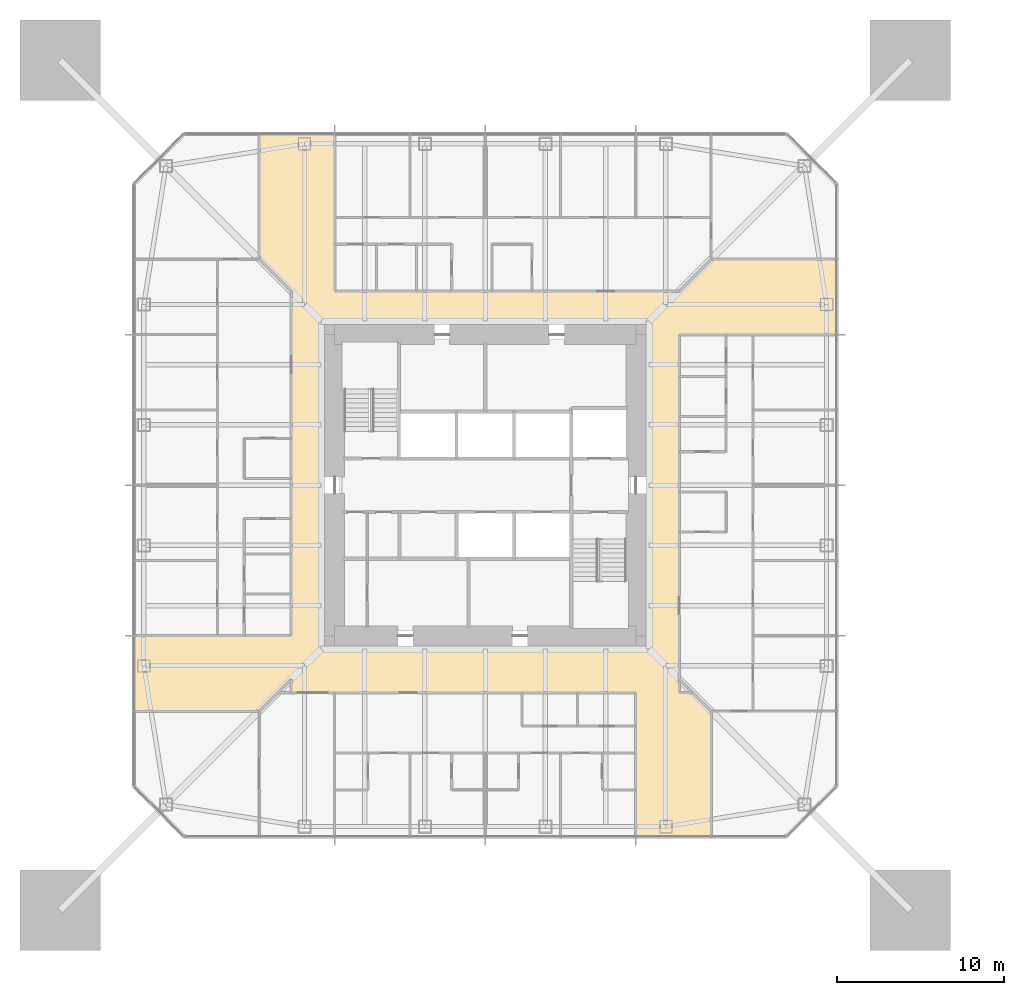
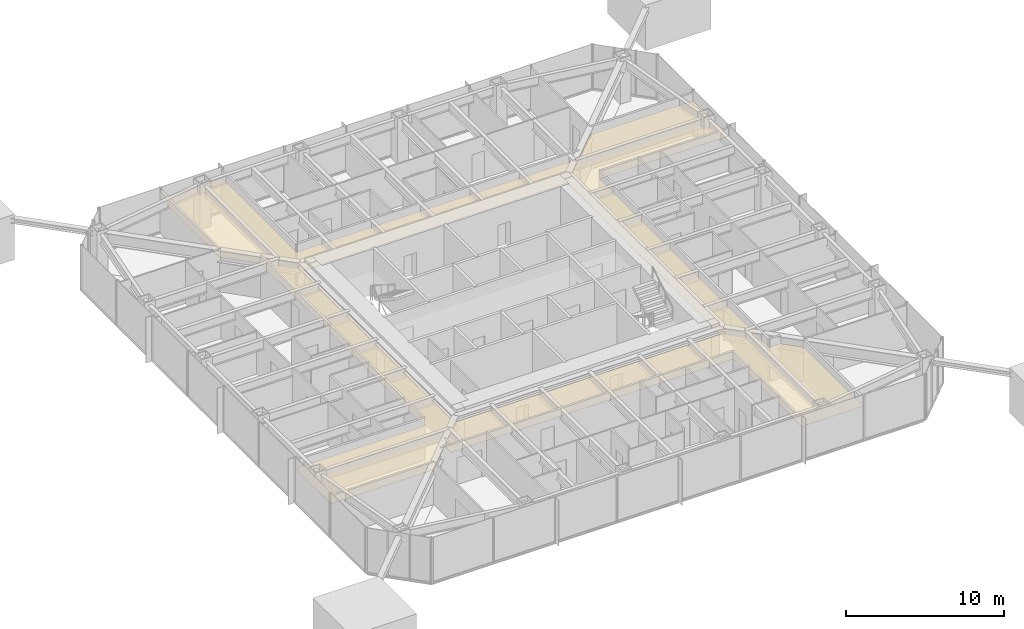
# One storey, part 22 of 25: 1 covering.
"""IFC4 building model written with IfcOpenShell, lengths in metres."""

from ifc_helpers import new_model, si_unit, direction, frame, origin, place, context, subcontext, project, spatial, polyline, outline, extrude, material, layer, layer_set, type_object, element, save


model = new_model("IFC4")

# Units and contexts
model_context = context("Model", 3, precision=1e-05, world=origin(), true_north=direction((0.0, 1.0)))
body_context = subcontext(model_context, "Body", "Model", "MODEL_VIEW")
ifc_project = project(units=[si_unit("LENGTHUNIT", "METRE"), si_unit("AREAUNIT", "SQUARE_METRE"), si_unit("VOLUMEUNIT", "CUBIC_METRE"), si_unit("PLANEANGLEUNIT", "RADIAN"), si_unit("MASSUNIT", "GRAM", prefix="KILO")], contexts=[model_context])

# Site, building, storey
site_placement = place(None, origin())
site = spatial("IfcSite", under=ifc_project, at=site_placement, CompositionType="ELEMENT")
building_placement = place(site_placement, origin())
building = spatial("IfcBuilding", under=site, at=building_placement, Name="Iwan Alto Co-Living Towers", CompositionType="ELEMENT")
storey_placement = place(building_placement, frame((0.0, 0.0, 84.0)))
storey = spatial("IfcBuildingStorey", under=building, at=storey_placement, Name="L22", CompositionType="ELEMENT", Elevation=84.0)

# Covering
ifc_material = material(Name="Gypsum plasterboard on steel grid", Category="steel")
ifc_layer = layer(ifc_material, 0.014892578125)
ifc_layer_set = layer_set([ifc_layer], Name="SUSPENDED PLASTERBOARD CEILING 15")
covering_type = type_object("IfcCoveringType", Name="SUSPENDED PLASTERBOARD CEILING 15", PredefinedType="CEILING", material=ifc_layer_set)
covering_placement = place(storey_placement, frame((0.0, 0.0, 2.60009765625)))
element("IfcCovering", 1, at=covering_placement, inside=storey, type_object=covering_type, Name="Ceiling Corridor L22", PredefinedType="CEILING", context=body_context, shape_type="SweptSolid", body=[
    extrude(outline(polyline([(13.5, -21.0), (9.0, -21.0), (9.0, -12.39990234375), (-11.60009765625, -12.39990234375), (-11.60009765625, -11.60009765625), (-13.5, -13.5), (-21.0, -13.5), (-21.0, -9.0), (-11.60009765625, -9.0), (-11.60009765625, 11.60009765625), (-13.5, 13.5), (-13.5, 21.0), (-9.0, 21.0), (-9.0, 11.60009765625), (11.60009765625, 11.60009765625), (13.5, 13.5), (21.0, 13.5), (21.0, 9.0), (11.60009765625, 9.0), (11.60009765625, -12.39990234375), (12.39990234375, -12.39990234375), (13.5, -13.5), (13.5, -21.0)]), holes=[polyline([(9.60009765625, -9.60009765625), (9.60009765625, 9.60009765625), (-9.60009765625, 9.60009765625), (-9.60009765625, -9.60009765625), (9.60009765625, -9.60009765625)])]), origin(), (0.0, 0.0, 1.0), 0.014892578125),
])

save(model, "model.ifc")
